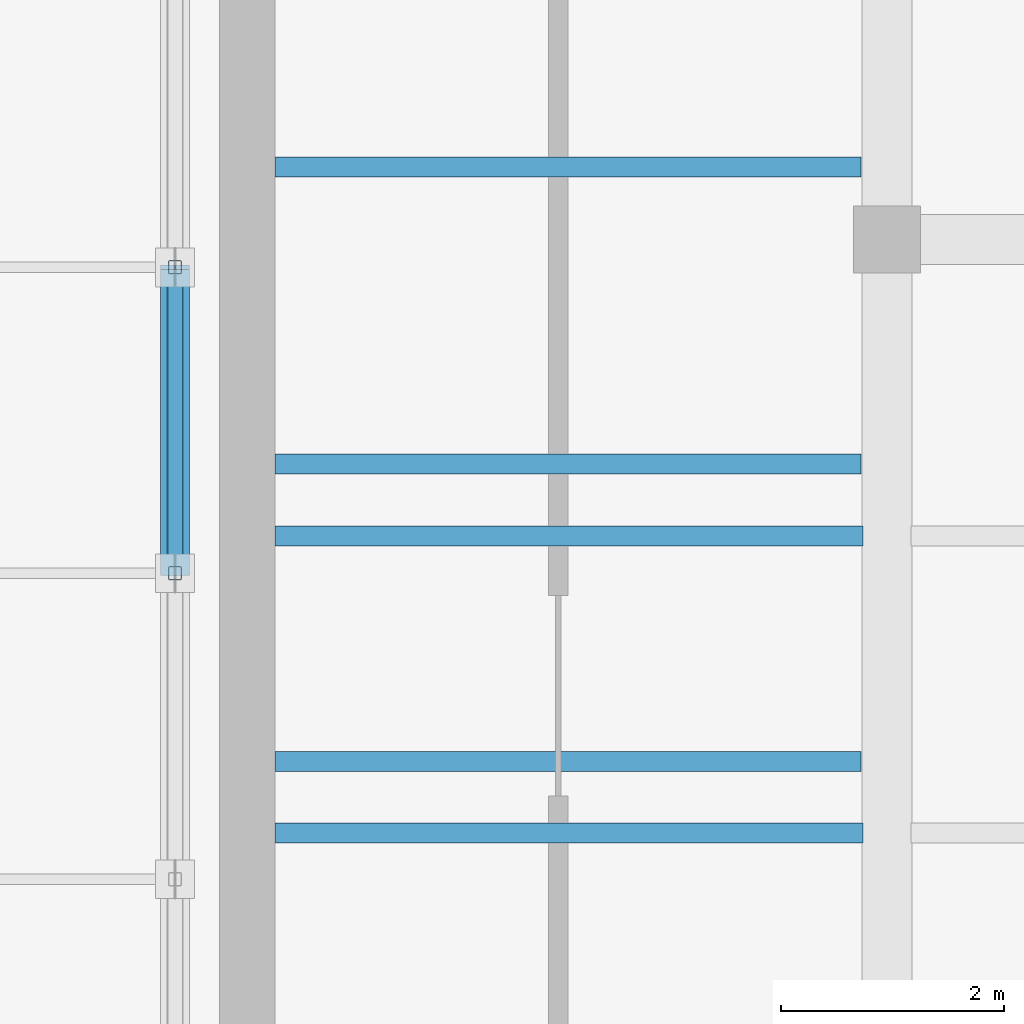
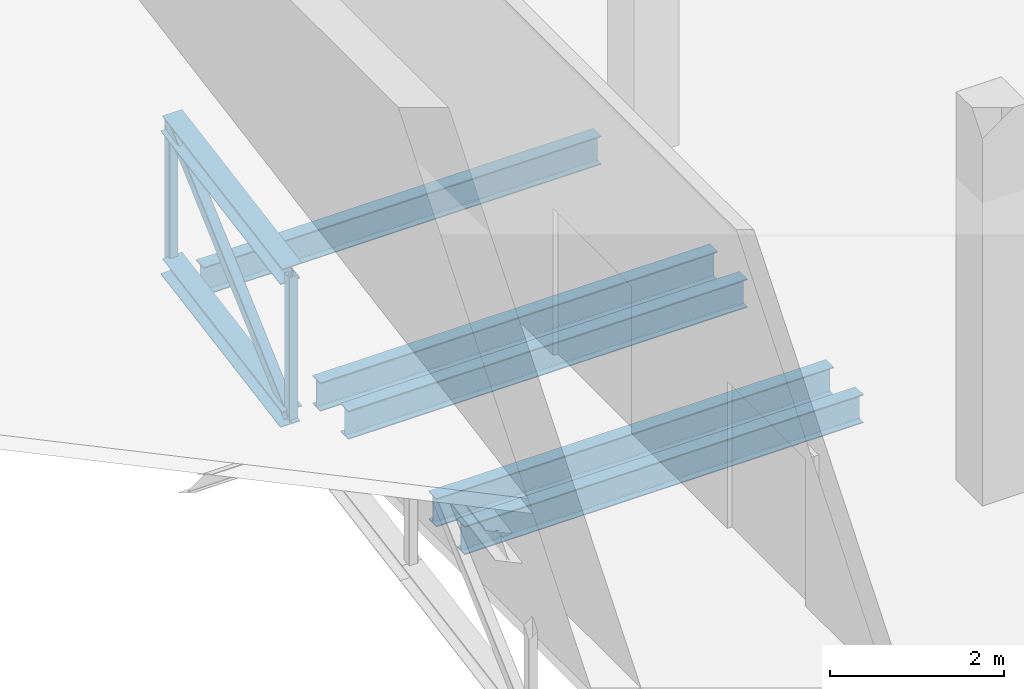
# One storey, part 20 of 132: 5 beams, 5 members.
"""IFC4 building model written with IfcOpenShell, lengths in metres."""

from ifc_helpers import new_model, si_unit, direction, frame, origin, origin_2d, place, context, subcontext, project, spatial, hollow_rectangle, i_section, extrude, material, material_profile, profile_set, type_object, element, save


model = new_model("IFC4")

# Units and contexts
model_context = context("Model", 3, precision=1e-05, world=origin(), true_north=direction((0.0, 1.0)))
body_context = subcontext(model_context, "Body", "Model", "MODEL_VIEW")
ifc_project = project(units=[si_unit("LENGTHUNIT", "METRE"), si_unit("AREAUNIT", "SQUARE_METRE"), si_unit("VOLUMEUNIT", "CUBIC_METRE"), si_unit("PLANEANGLEUNIT", "RADIAN"), si_unit("MASSUNIT", "GRAM", prefix="KILO")], contexts=[model_context])

# Site, building, storey
site_placement = place(None, origin())
site = spatial("IfcSite", under=ifc_project, at=site_placement, CompositionType="ELEMENT")
building_placement = place(site_placement, origin())
building = spatial("IfcBuilding", under=site, at=building_placement, Name="Lunette Opera House", CompositionType="ELEMENT")
storey_placement = place(building_placement, frame((0.0, 0.0, 17.0)))
storey = spatial("IfcBuildingStorey", under=building, at=storey_placement, Name="L03", CompositionType="ELEMENT", Elevation=17.0)

# Members
ifc_material_1 = material(Name="Steel S355", Category="steel")
ifc_material_profile_1 = material_profile(ifc_material_1, i_section(OverallWidth=0.260009765625, OverallDepth=0.25, WebThickness=0.007568359375, FlangeThickness=0.012451171875, FilletRadius=0.02392578125, at=origin_2d()), Name="HEA 260")
ifc_profile_set_1 = profile_set([ifc_material_profile_1], Name="Steel S355")
member_type_1 = type_object("IfcMemberType", Name="CHORD HEA 260", PredefinedType="CHORD", material=ifc_profile_set_1)
for number, where, z_axis, x_axis, name in (
    (1, (33.60009765625, 77.0, 2.235107421875), (0.0, 0.98486969904, 0.173296497115), (-1.0, 0.0, 0.0), "mem-RW-L03-RW-TR05-TC5"),
    (2, (33.60009765625, 77.0, 0.235107421875), (0.0, 0.98486969904, 0.173296497115), (-1.0, 0.0, 0.0), "mem-RW-L03-RW-TR05-BC5"),
):
    element("IfcMember", number, at=place(storey_placement, frame(where, z_axis=z_axis, x_axis=x_axis)), inside=storey, type_object=member_type_1, Name=name, PredefinedType="CHORD", context=body_context, shape_type="SweptSolid", body=[
        extrude(i_section(OverallWidth=0.260009765625, OverallDepth=0.25, WebThickness=0.007568359375, FlangeThickness=0.012451171875, FilletRadius=0.02392578125, at=origin_2d()), origin(), (0.0, 0.0, 1.0), 2.792236328125),
    ])
ifc_material_2 = material(Name="Steel S355", Category="steel")
ifc_material_profile_2 = material_profile(ifc_material_2, hollow_rectangle(XDim=0.139892578125, YDim=0.139892578125, WallThickness=0.006103515625, InnerFilletRadius=0.006103515625, OuterFilletRadius=0.011962890625, at=origin_2d()), Name="RHS 140X140X6")
ifc_profile_set_2 = profile_set([ifc_material_profile_2], Name="Steel S355")
member_type_2 = type_object("IfcMemberType", Name="DIAGONAL RHS 140X140X6", PredefinedType="BRACE", material=ifc_profile_set_2)
member_placement = place(storey_placement, frame((33.60009765625, 77.0, 0.235107421875), z_axis=(0.0, 0.742100528467, 0.670288598776), x_axis=(-1.0, 0.0, 0.0)))
element("IfcMember", 3, at=member_placement, inside=storey, type_object=member_type_2, Name="mem-RW-L03-RW-TR05-TD5", PredefinedType="BRACE", context=body_context, shape_type="SweptSolid", body=[
    extrude(hollow_rectangle(XDim=0.139892578125, YDim=0.139892578125, WallThickness=0.006103515625, InnerFilletRadius=0.006103515625, OuterFilletRadius=0.011962890625, at=origin_2d()), origin(), (0.0, 0.0, 1.0), 3.705810546875),
])

# Beams
ifc_material_3 = material(Name="Steel S355", Category="steel")
ifc_material_profile_3 = material_profile(ifc_material_3, i_section(OverallWidth=0.179931640625, OverallDepth=0.39990234375, WebThickness=0.008544921875, FlangeThickness=0.013427734375, FilletRadius=0.02099609375, at=origin_2d()), Name="IPE 400")
ifc_profile_set_3 = profile_set([ifc_material_profile_3], Name="Steel S355")
beam_type = type_object("IfcBeamType", Name="STEEL BEAM IPE 400", PredefinedType="BEAM", material=ifc_profile_set_3)
for number, where, z_axis, x_axis, name in (
    (4, (34.5, 74.6669921875, -0.35009765625), (1.0, 0.0, 0.0), (0.0, 1.0, 0.0), "beam-RW-L03-L03-SX311-01"),
    (5, (34.5, 77.3330078125, -0.35009765625), (1.0, 0.0, 0.0), (0.0, 1.0, 0.0), "beam-RW-L03-L03-SX312-01"),
):
    element("IfcBeam", number, at=place(storey_placement, frame(where, z_axis=z_axis, x_axis=x_axis)), inside=storey, type_object=beam_type, Name=name, PredefinedType="BEAM", context=body_context, shape_type="SweptSolid", body=[
        extrude(i_section(OverallWidth=0.179931640625, OverallDepth=0.39990234375, WebThickness=0.008544921875, FlangeThickness=0.013427734375, FilletRadius=0.02099609375, at=origin_2d()), origin(), (0.0, 0.0, 1.0), 5.284912109375),
    ])
for number, where, z_axis, x_axis, name in (
    (6, (34.5, 75.31005859375, -0.35009765625), (1.0, 0.0, 0.0), (0.0, 1.0, 0.0), "beam-RW-L03-L03-RJE10663"),
    (7, (34.5, 77.97998046875, -0.35009765625), (1.0, 0.0, 0.0), (0.0, 1.0, 0.0), "beam-RW-L03-L03-RJE10664"),
    (8, (34.5, 80.64990234375, -0.35009765625), (1.0, 0.0, 0.0), (0.0, 1.0, 0.0), "beam-RW-L03-L03-RJE10665"),
):
    element("IfcBeam", number, at=place(storey_placement, frame(where, z_axis=z_axis, x_axis=x_axis)), inside=storey, type_object=beam_type, Name=name, PredefinedType="BEAM", context=body_context, shape_type="SweptSolid", body=[
        extrude(i_section(OverallWidth=0.179931640625, OverallDepth=0.39990234375, WebThickness=0.008544921875, FlangeThickness=0.013427734375, FilletRadius=0.02099609375, at=origin_2d()), origin(), (0.0, 0.0, 1.0), 5.264892578125),
    ])

# Members
ifc_material_4 = material(Name="Steel S355", Category="steel")
ifc_material_profile_4 = material_profile(ifc_material_4, hollow_rectangle(XDim=0.1201171875, YDim=0.1201171875, WallThickness=0.0048828125, InnerFilletRadius=0.0048828125, OuterFilletRadius=0.010009765625, at=origin_2d()), Name="RHS 120X120X5")
ifc_profile_set_4 = profile_set([ifc_material_profile_4], Name="Steel S355")
member_type_3 = type_object("IfcMemberType", Name="VERTICAL RHS 120X120X5", PredefinedType="POST", material=ifc_profile_set_4)
for number, where, z_axis, x_axis, name in (
    (9, (33.60009765625, 77.0, 0.235107421875), (0.0, 0.0, 1.0), (1.0, 0.0, 0.0), "mem-RW-L03-RW-TR05-TV5"),
    (10, (33.60009765625, 79.75, 0.718994140625), (0.0, 0.0, 1.0), (1.0, 0.0, 0.0), "mem-RW-L03-RW-TR05-TV6"),
):
    element("IfcMember", number, at=place(storey_placement, frame(where, z_axis=z_axis, x_axis=x_axis)), inside=storey, type_object=member_type_3, Name=name, PredefinedType="POST", context=body_context, shape_type="SweptSolid", body=[
        extrude(hollow_rectangle(XDim=0.1201171875, YDim=0.1201171875, WallThickness=0.0048828125, InnerFilletRadius=0.0048828125, OuterFilletRadius=0.010009765625, at=origin_2d()), origin(), (0.0, 0.0, 1.0), 2.0),
    ])

save(model, "model.ifc")
